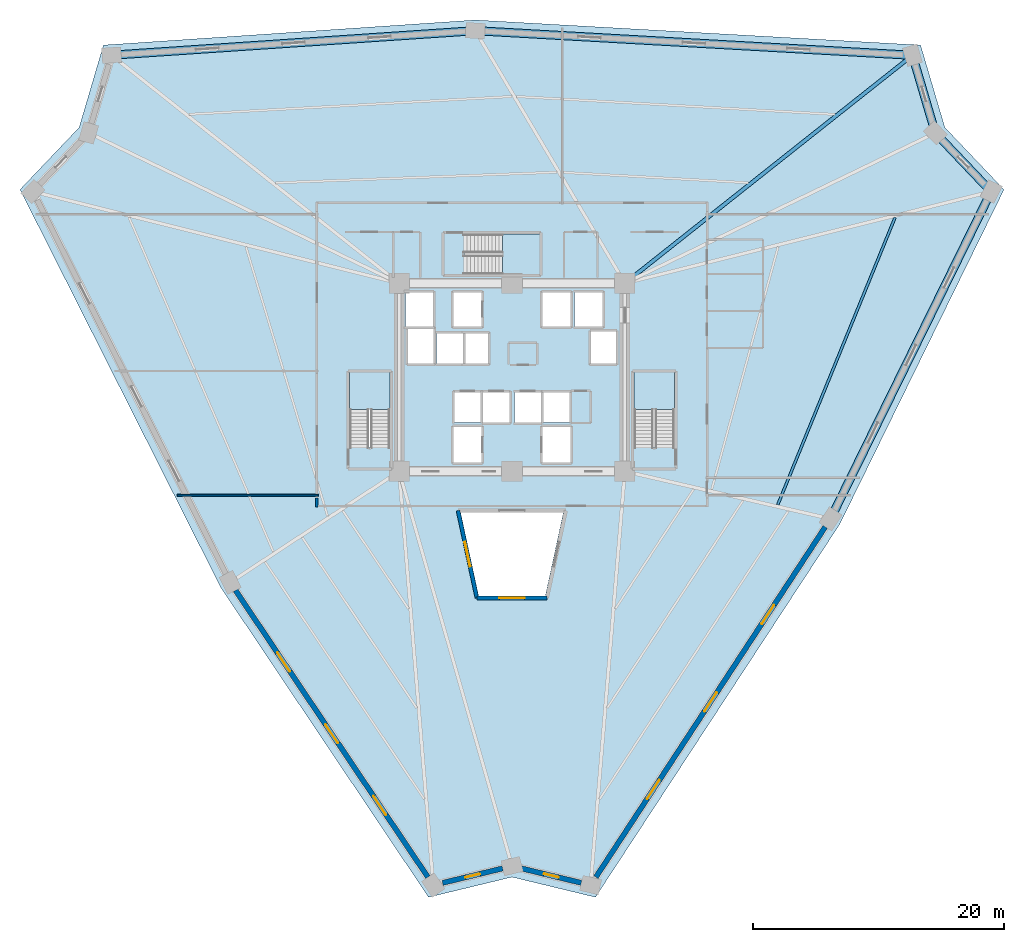
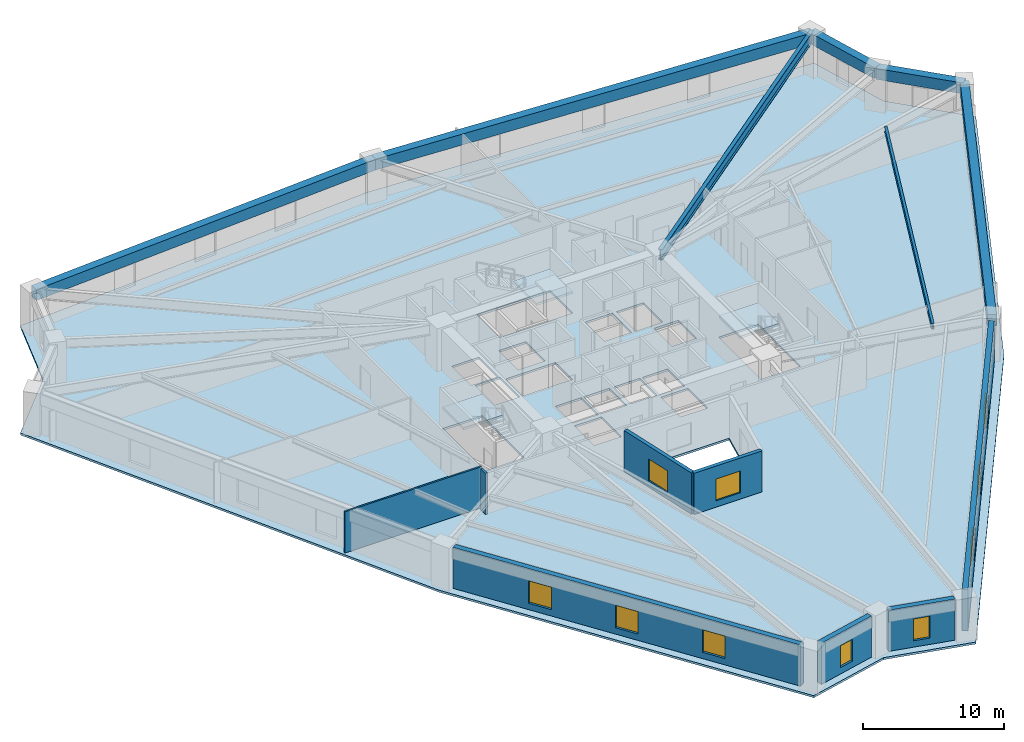
# One storey, part 2 of 8: 10 windows, 8 walls, 7 beams, 4 slabs, 10 openings, 3 elements without a shape of their own.
"""IFC4 building model written with IfcOpenShell, lengths in metres."""

from ifc_helpers import new_model, si_unit, direction, frame, frame_2d, origin, origin_2d, place, context, subcontext, project, spatial, polyline, rectangle, i_section, outline, extrude, source, transform, mapped, material, layer, layer_set, material_profile, profile_set, type_object, element, fill, aggregate, save


model = new_model("IFC4")

# Units and contexts
model_context = context("Model", 3, precision=1e-05, world=origin(), true_north=direction((0.0, 1.0)))
body_context = subcontext(model_context, "Body", "Model", "MODEL_VIEW")
ifc_project = project(units=[si_unit("LENGTHUNIT", "METRE"), si_unit("AREAUNIT", "SQUARE_METRE"), si_unit("VOLUMEUNIT", "CUBIC_METRE"), si_unit("PLANEANGLEUNIT", "RADIAN"), si_unit("MASSUNIT", "GRAM", prefix="KILO")], contexts=[model_context])

# Site, building, storey
site_placement = place(None, origin())
site = spatial("IfcSite", under=ifc_project, at=site_placement, CompositionType="ELEMENT")
building_placement = place(site_placement, origin())
building = spatial("IfcBuilding", under=site, at=building_placement, Name="Liaohun Quay Tower", CompositionType="ELEMENT")
storey_placement = place(building_placement, frame((0.0, 0.0, 63.0)))
storey = spatial("IfcBuildingStorey", under=building, at=storey_placement, Name="L16", CompositionType="ELEMENT", Elevation=63.0)

# Beams
ifc_material_1 = material(Name="Steel Q420D", Category="steel")
ifc_material_profile_1 = material_profile(ifc_material_1, i_section(OverallWidth=0.300048828125, OverallDepth=0.89990234375, WebThickness=0.01611328125, FlangeThickness=0.028076171875, at=origin_2d()), Name="HN900x300x16x28")
ifc_profile_set_1 = profile_set([ifc_material_profile_1], Name="Steel Q420D")
beam_type_1 = type_object("IfcBeamType", Name="BM-RAD-H1", PredefinedType="BEAM", material=ifc_profile_set_1)
shared_shape_1 = source(origin(), body_context, "Body", "SweptSolid", [
    extrude(i_section(OverallWidth=0.300048828125, OverallDepth=0.89990234375, WebThickness=0.01611328125, FlangeThickness=0.028076171875, at=origin_2d()), origin(), (0.0, 0.0, 1.0), 29.264404296875),
])
beam_1_placement = place(storey_placement, frame((69.0, 61.5, 3.1201171875), z_axis=(0.783682660244, 0.621161402561, 0.0), x_axis=(-0.621161402561, 0.783682660244, 0.0)))
element("IfcBeam", 1, at=beam_1_placement, inside=storey, type_object=beam_type_1, Name="L16 Radial Primary Girder CC4-PC07", PredefinedType="BEAM", context=body_context, shape_type="MappedRepresentation", body=[
    mapped(shared_shape_1, transform((0.0, 0.0, 0.0), x_axis=(1.0, 0.0, 0.0), y_axis=(0.0, 1.0, 0.0), z_axis=(0.0, 0.0, 1.0), scale=1.0)),
])
ifc_material_2 = material(Name="Steel Q355D", Category="steel")
ifc_material_profile_2 = material_profile(ifc_material_2, i_section(OverallWidth=0.199951171875, OverallDepth=0.449951171875, WebThickness=0.009033203125, FlangeThickness=0.013916015625, at=origin_2d()), Name="HN450x200x9x14")
ifc_profile_set_2 = profile_set([ifc_material_profile_2], Name="Steel Q355D")
beam_type_2 = type_object("IfcBeamType", Name="BM-SEC-J1", PredefinedType="JOIST", material=ifc_profile_set_2)
shared_shape_2 = source(origin(), body_context, "Body", "SweptSolid", [
    extrude(i_section(OverallWidth=0.199951171875, OverallDepth=0.449951171875, WebThickness=0.009033203125, FlangeThickness=0.013916015625, at=origin_2d()), origin(), (0.0, 0.0, 1.0), 24.732421875),
])
beam_2_placement = place(storey_placement, frame((90.5439453125, 66.738037109375, 3.344970703125), z_axis=(-0.378040840239, -0.925788919307, 0.0), x_axis=(0.925788919307, -0.378040840239, 0.0)))
element("IfcBeam", 2, at=beam_2_placement, inside=storey, type_object=beam_type_2, Name="L16 Wing Secondary Floor Joist SJ-11", PredefinedType="JOIST", context=body_context, shape_type="MappedRepresentation", body=[
    mapped(shared_shape_2, transform((0.0, 0.0, 0.0), x_axis=(1.0, 0.0, 0.0), y_axis=(0.0, 1.0, 0.0), z_axis=(0.0, 0.0, 1.0), scale=1.0)),
])
ifc_material_3 = material(Name="Precast concrete C55", Category="concrete")
ifc_material_profile_3 = material_profile(ifc_material_3, rectangle(XDim=0.64990234375, YDim=0.949951171875, at=origin_2d()), Name="RC650x950")
ifc_profile_set_3 = profile_set([ifc_material_profile_3], Name="Precast concrete C55")
beam_type_3 = type_object("IfcBeamType", Name="BM-SPD-Z1", PredefinedType="SPANDREL", material=ifc_profile_set_3)
shared_shape_3 = source(origin(), body_context, "Body", "SweptSolid", [
    extrude(rectangle(XDim=0.64990234375, YDim=0.949951171875, at=origin_2d()), origin(), (0.0, 0.0, 1.0), 29.07080078125),
])
beam_3_placement = place(storey_placement, frame((28.068115234375, 79.68505859375, 3.094970703125), z_axis=(0.997736549096, 0.067244171481, 0.0), x_axis=(-0.067244171481, 0.997736549096, 0.0)))
element("IfcBeam", 3, at=beam_3_placement, inside=storey, type_object=beam_type_3, Name="L16 Precast Spandrel Beam PC05-PC06", PredefinedType="SPANDREL", context=body_context, shape_type="MappedRepresentation", body=[
    mapped(shared_shape_3, transform((0.0, 0.0, 0.0), x_axis=(1.0, 0.0, 0.0), y_axis=(0.0, 1.0, 0.0), z_axis=(0.0, 0.0, 1.0), scale=1.0)),
])
shared_shape_4 = source(origin(), body_context, "Body", "SweptSolid", [
    extrude(rectangle(XDim=0.64990234375, YDim=0.949951171875, at=origin_2d()), origin(), (0.0, 0.0, 1.0), 34.916259765625),
])
beam_4_placement = place(storey_placement, frame((57.072998046875, 81.639892578125, 3.094970703125), z_axis=(0.998420141994, -0.056189145402, 0.0), x_axis=(0.056189145402, 0.998420141994, 0.0)))
element("IfcBeam", 4, at=beam_4_placement, inside=storey, type_object=beam_type_3, Name="L16 Precast Spandrel Beam PC06-PC07", PredefinedType="SPANDREL", context=body_context, shape_type="MappedRepresentation", body=[
    mapped(shared_shape_4, transform((0.0, 0.0, 0.0), x_axis=(1.0, 0.0, 0.0), y_axis=(0.0, 1.0, 0.0), z_axis=(0.0, 0.0, 1.0), scale=1.0)),
])
shared_shape_5 = source(origin(), body_context, "Body", "SweptSolid", [
    extrude(rectangle(XDim=0.64990234375, YDim=0.949951171875, at=origin_2d()), origin(), (0.0, 0.0, 1.0), 6.451171875),
])
beam_5_placement = place(storey_placement, frame((91.93408203125, 79.677978515625, 3.094970703125), z_axis=(0.28273381669, -0.959198409559, 0.0), x_axis=(0.959198409559, 0.28273381669, 0.0)))
element("IfcBeam", 5, at=beam_5_placement, inside=storey, type_object=beam_type_3, Name="L16 Precast Spandrel Beam PC07-PC08", PredefinedType="SPANDREL", context=body_context, shape_type="MappedRepresentation", body=[
    mapped(shared_shape_5, transform((0.0, 0.0, 0.0), x_axis=(1.0, 0.0, 0.0), y_axis=(0.0, 1.0, 0.0), z_axis=(0.0, 0.0, 1.0), scale=1.0)),
])
shared_shape_6 = source(origin(), body_context, "Body", "SweptSolid", [
    extrude(rectangle(XDim=0.64990234375, YDim=0.949951171875, at=origin_2d()), origin(), (0.0, 0.0, 1.0), 6.457763671875),
])
beam_6_placement = place(storey_placement, frame((93.758056640625, 73.489990234375, 3.094970703125), z_axis=(0.689231192671, -0.724541484699, 0.0), x_axis=(0.724541484699, 0.689231192671, 0.0)))
element("IfcBeam", 6, at=beam_6_placement, inside=storey, type_object=beam_type_3, Name="L16 Precast Spandrel Beam PC08-PC09", PredefinedType="SPANDREL", context=body_context, shape_type="MappedRepresentation", body=[
    mapped(shared_shape_6, transform((0.0, 0.0, 0.0), x_axis=(1.0, 0.0, 0.0), y_axis=(0.0, 1.0, 0.0), z_axis=(0.0, 0.0, 1.0), scale=1.0)),
])
shared_shape_7 = source(origin(), body_context, "Body", "SweptSolid", [
    extrude(rectangle(XDim=0.64990234375, YDim=0.949951171875, at=origin_2d()), origin(), (0.0, 0.0, 1.0), 29.06884765625),
])
beam_7_placement = place(storey_placement, frame((98.208984375, 68.81103515625, 3.094970703125), z_axis=(-0.440613510447, -0.897696905649, 0.0), x_axis=(0.897696905649, -0.440613510447, 0.0)))
element("IfcBeam", 7, at=beam_7_placement, inside=storey, type_object=beam_type_3, Name="L16 Precast Spandrel Beam PC09-PC10", PredefinedType="SPANDREL", context=body_context, shape_type="MappedRepresentation", body=[
    mapped(shared_shape_7, transform((0.0, 0.0, 0.0), x_axis=(1.0, 0.0, 0.0), y_axis=(0.0, 1.0, 0.0), z_axis=(0.0, 0.0, 1.0), scale=1.0)),
])

# Stair, slab
ifc_material_4 = material(Name="Concrete C45", Category="concrete")
stair_type = type_object("IfcStairType", Name="STR-CORE-OFF", PredefinedType="HALF_TURN_STAIR", material=ifc_material_4)
stair_1_placement = place(storey_placement, origin())
stair_1 = element("IfcStair", 8, at=stair_1_placement, inside=storey, type_object=stair_type, Name="L16 Smokeproof Core Exit Stair ST-1", PredefinedType="HALF_TURN_STAIR")
ifc_layer_1 = layer(ifc_material_4, 0.199951171875, Name="Concrete C45", Category="concrete")
ifc_layer_set_1 = layer_set([ifc_layer_1], Name="Concrete C45")
slab_type_1 = type_object("IfcSlabType", Name="SLB-LND-200", PredefinedType="LANDING", material=ifc_layer_set_1)
slab_1_placement = place(storey_placement, frame((0.0, 0.0, 1.675048828125)))
slab_1 = element("IfcSlab", 9, at=slab_1_placement, type_object=slab_type_1, Name="ST-1 landing 1", PredefinedType="LANDING", context=body_context, shape_type="SweptSolid", body=[
    extrude(outline(polyline([(50.280029296875, 51.429931640625), (50.280029296875, 54.419921875), (47.0400390625, 54.419921875), (47.0400390625, 51.429931640625), (50.280029296875, 51.429931640625)])), origin(), (0.0, 0.0, 1.0), 0.199951171875),
])
aggregate(stair_1, [slab_1])

stair_2_placement = place(storey_placement, origin())
stair_2 = element("IfcStair", 10, at=stair_2_placement, inside=storey, type_object=stair_type, Name="L16 Smokeproof Core Exit Stair ST-2", PredefinedType="HALF_TURN_STAIR")
slab_2_placement = place(storey_placement, frame((0.0, 0.0, 1.675048828125)))
slab_2 = element("IfcSlab", 11, at=slab_2_placement, type_object=slab_type_1, Name="ST-2 landing 1", PredefinedType="LANDING", context=body_context, shape_type="SweptSolid", body=[
    extrude(outline(polyline([(72.9599609375, 51.429931640625), (72.9599609375, 54.419921875), (69.719970703125, 54.419921875), (69.719970703125, 51.429931640625), (72.9599609375, 51.429931640625)])), origin(), (0.0, 0.0, 1.0), 0.199951171875),
])
aggregate(stair_2, [slab_2])

stair_3_placement = place(storey_placement, origin())
stair_3 = element("IfcStair", 12, at=stair_3_placement, inside=storey, type_object=stair_type, Name="L16 Smokeproof Core Exit Stair ST-3", PredefinedType="HALF_TURN_STAIR")
slab_3_placement = place(storey_placement, frame((0.0, 0.0, 1.675048828125)))
slab_3 = element("IfcSlab", 13, at=slab_3_placement, type_object=slab_type_1, Name="ST-3 landing 1", PredefinedType="LANDING", context=body_context, shape_type="SweptSolid", body=[
    extrude(outline(polyline([(59.22998046875, 62.199951171875), (62.219970703125, 62.199951171875), (62.219970703125, 65.43994140625), (59.22998046875, 65.43994140625), (59.22998046875, 62.199951171875)])), origin(), (0.0, 0.0, 1.0), 0.199951171875),
])
aggregate(stair_3, [slab_3])

# Slab
ifc_layer_2 = layer(ifc_material_4, 0.179931640625, Name="Concrete C45", Category="concrete")
ifc_layer_set_2 = layer_set([ifc_layer_2], Name="Concrete C45")
slab_type_2 = type_object("IfcSlabType", Name="SLB-OFF-180", PredefinedType="FLOOR", material=ifc_layer_set_2)
slab_4_placement = place(storey_placement, frame((0.0, 0.0, -0.179931640625)))
element("IfcSlab", 14, at=slab_4_placement, inside=storey, type_object=slab_type_2, Name="L16 Structural Floor Slab", PredefinedType="FLOOR", context=body_context, shape_type="SweptSolid", body=[
    extrude(outline(polyline([(53.345947265625, 12.5390625), (60.0, 14.14599609375), (66.654052734375, 12.5390625), (86.14111328125, 42.2939453125), (99.23291015625, 68.968017578125), (94.514892578125, 73.927001953125), (92.580078125, 80.492919921875), (57.068115234375, 82.491943359375), (27.419921875, 80.492919921875), (25.485107421875, 73.927001953125), (20.76708984375, 68.968017578125), (36.7919921875, 37.215087890625), (53.345947265625, 12.5390625)]), holes=[polyline([(57.56005859375, 47.2099609375), (57.56005859375, 50.030029296875), (55.340087890625, 50.030029296875), (55.340087890625, 47.2099609375), (57.56005859375, 47.2099609375)]), polyline([(50.280029296875, 54.419921875), (47.0400390625, 54.419921875), (47.0400390625, 48.409912109375), (50.280029296875, 48.409912109375), (50.280029296875, 54.419921875)]), polyline([(57.510009765625, 50.389892578125), (57.510009765625, 52.81005859375), (55.389892578125, 52.81005859375), (55.389892578125, 50.389892578125), (57.510009765625, 50.389892578125)]), polyline([(59.81005859375, 50.389892578125), (59.81005859375, 52.81005859375), (57.68994140625, 52.81005859375), (57.68994140625, 50.389892578125), (59.81005859375, 50.389892578125)]), polyline([(58.110107421875, 57.510009765625), (53.989990234375, 57.510009765625), (53.989990234375, 55.090087890625), (58.110107421875, 55.090087890625), (58.110107421875, 57.510009765625)]), polyline([(53.760009765625, 55.090087890625), (53.760009765625, 57.909912109375), (51.7099609375, 57.909912109375), (51.7099609375, 55.090087890625), (53.760009765625, 55.090087890625)]), polyline([(51.489990234375, 58.0400390625), (53.7099609375, 58.0400390625), (53.7099609375, 60.7900390625), (51.489990234375, 60.7900390625), (51.489990234375, 58.0400390625)]), polyline([(55.340087890625, 58.0400390625), (57.56005859375, 58.0400390625), (57.56005859375, 60.7900390625), (55.340087890625, 60.7900390625), (55.340087890625, 58.0400390625)]), polyline([(62.658935546875, 36.576904296875), (64.091064453125, 43.199951171875), (55.908935546875, 43.199951171875), (57.341064453125, 36.576904296875), (62.658935546875, 36.576904296875)]), polyline([(64.659912109375, 47.2099609375), (64.659912109375, 50.030029296875), (62.43994140625, 50.030029296875), (62.43994140625, 47.2099609375), (64.659912109375, 47.2099609375)]), polyline([(72.9599609375, 54.419921875), (69.719970703125, 54.419921875), (69.719970703125, 48.409912109375), (72.9599609375, 48.409912109375), (72.9599609375, 54.419921875)]), polyline([(62.31005859375, 50.389892578125), (62.31005859375, 52.81005859375), (60.18994140625, 52.81005859375), (60.18994140625, 50.389892578125), (62.31005859375, 50.389892578125)]), polyline([(64.610107421875, 50.389892578125), (64.610107421875, 52.81005859375), (62.489990234375, 52.81005859375), (62.489990234375, 50.389892578125), (64.610107421875, 50.389892578125)]), polyline([(68.2900390625, 55.090087890625), (68.2900390625, 57.659912109375), (66.2900390625, 57.659912109375), (66.2900390625, 55.090087890625), (68.2900390625, 55.090087890625)]), polyline([(64.659912109375, 58.0400390625), (64.659912109375, 60.7900390625), (62.43994140625, 60.7900390625), (62.43994140625, 58.0400390625), (64.659912109375, 58.0400390625)]), polyline([(64.989990234375, 58.0400390625), (67.2099609375, 58.0400390625), (67.2099609375, 60.7900390625), (64.989990234375, 60.7900390625), (64.989990234375, 58.0400390625)]), polyline([(56.2099609375, 62.199951171875), (62.219970703125, 62.199951171875), (62.219970703125, 65.43994140625), (56.2099609375, 65.43994140625), (56.2099609375, 62.199951171875)])]), origin(), (0.0, 0.0, 1.0), 0.179931640625),
])

# Wall, opening, window
ifc_material_5 = material(Name="Concrete C50", Category="concrete")
ifc_layer_3 = layer(ifc_material_5, 0.300048828125, Name="Concrete C50", Category="concrete")
ifc_layer_set_3 = layer_set([ifc_layer_3], Name="Concrete C50")
wall_type_1 = type_object("IfcWallType", Name="WAL-ATR-300", PredefinedType="SOLIDWALL", material=ifc_layer_set_3)
wall_1_placement = place(storey_placement, frame((57.2041015625, 36.406982421875, 0.0), z_axis=(0.0, 0.0, 1.0), x_axis=(-0.211408002859, 0.977397900718, 0.0)))
wall_1 = element("IfcWall", 15, at=wall_1_placement, inside=storey, type_object=wall_type_1, Name="L16 Atrium Fire Compartment Wall 1", PredefinedType="SOLIDWALL", context=body_context, shape_type="SweptSolid", body=[
    extrude(rectangle(XDim=7.124267578125, YDim=0.300048828125, at=frame_2d((3.56201171875, 0.0))), origin(), (0.0, 0.0, 1.0), 3.570068359375),
])
shared_shape_8 = source(origin(), body_context, "Body", "SweptSolid", [
    extrude(rectangle(XDim=2.0, YDim=1.89990234375, at=frame_2d((1.0, 0.949951171875))), frame((0.0, 0.159912109375, 0.0), z_axis=(0.0, -1.0, 0.0), x_axis=(1.0, 0.0, 0.0)), (0.0, 0.0, 1.0), 0.320068359375),
])
opening_1_placement = place(wall_1_placement, frame((2.56201171875, 0.0, 0.550048828125)))
opening_1 = element("IfcOpeningElement", 16, at=opening_1_placement, cuts=wall_1, Name="Opening W07", PredefinedType="OPENING", context=body_context, shape_type="MappedRepresentation", body=[
    mapped(shared_shape_8, transform((0.0, 0.0, 0.0), x_axis=(1.0, 0.0, 0.0), y_axis=(0.0, 1.0, 0.0), z_axis=(0.0, 0.0, 1.0), scale=1.0)),
])
ifc_material_6 = material(Name="Class A 180-min fire-resistant insulated glazing", Category="glass")
window_type_1 = type_object("IfcWindowType", Name="WIN-ATR-FIR", PartitioningType="DOUBLE_PANEL_VERTICAL", PredefinedType="WINDOW", material=ifc_material_6)
shared_shape_9 = source(origin(), body_context, "Body", "SweptSolid", [
    extrude(rectangle(XDim=2.0, YDim=1.89990234375, at=frame_2d((1.0, 0.949951171875))), frame((0.0, 0.030029296875, 0.0), z_axis=(0.0, -1.0, 0.0), x_axis=(1.0, 0.0, 0.0)), (0.0, 0.0, 1.0), 0.06005859375),
])
window_1_placement = place(opening_1_placement, origin())
window_1 = element("IfcWindow", 17, at=window_1_placement, inside=storey, type_object=window_type_1, Name="L16 Atrium Fire-Resistant Glazing W07-1", OverallHeight=1.89990234375, OverallWidth=2.0, PartitioningType="DOUBLE_PANEL_VERTICAL", PredefinedType="WINDOW", context=body_context, shape_type="MappedRepresentation", body=[
    mapped(shared_shape_9, transform((0.0, 0.0, 0.0), x_axis=(1.0, 0.0, 0.0), y_axis=(0.0, 1.0, 0.0), z_axis=(0.0, 0.0, 1.0), scale=1.0)),
])
fill(opening_1, window_1)

wall_2_placement = place(storey_placement, frame((62.7958984375, 36.406982421875, 0.0), z_axis=(0.0, 0.0, 1.0), x_axis=(-1.0, 0.0, 0.0)))
wall_2 = element("IfcWall", 18, at=wall_2_placement, inside=storey, type_object=wall_type_1, Name="L16 Atrium Fire Compartment Wall 4", PredefinedType="SOLIDWALL", context=body_context, shape_type="SweptSolid", body=[
    extrude(rectangle(XDim=5.591796875, YDim=0.300048828125, at=frame_2d((2.7958984375, 0.0))), origin(), (0.0, 0.0, 1.0), 3.570068359375),
])
opening_2_placement = place(wall_2_placement, frame((1.7958984375, 0.0, 0.550048828125)))
opening_2 = element("IfcOpeningElement", 19, at=opening_2_placement, cuts=wall_2, Name="Opening W07", PredefinedType="OPENING", context=body_context, shape_type="MappedRepresentation", body=[
    mapped(shared_shape_8, transform((0.0, 0.0, 0.0), x_axis=(1.0, 0.0, 0.0), y_axis=(0.0, 1.0, 0.0), z_axis=(0.0, 0.0, 1.0), scale=1.0)),
])
window_2_placement = place(opening_2_placement, origin())
window_2 = element("IfcWindow", 20, at=window_2_placement, inside=storey, type_object=window_type_1, Name="L16 Atrium Fire-Resistant Glazing W07-4", OverallHeight=1.89990234375, OverallWidth=2.0, PartitioningType="DOUBLE_PANEL_VERTICAL", PredefinedType="WINDOW", context=body_context, shape_type="MappedRepresentation", body=[
    mapped(shared_shape_9, transform((0.0, 0.0, 0.0), x_axis=(1.0, 0.0, 0.0), y_axis=(0.0, 1.0, 0.0), z_axis=(0.0, 0.0, 1.0), scale=1.0)),
])
fill(opening_2, window_2)

ifc_material_7 = material(Name="Precast concrete C50 insulated sandwich", Category="concrete")
ifc_layer_4 = layer(ifc_material_7, 0.419921875, Name="Precast concrete C50 insulated sandwich", Category="concrete")
ifc_layer_set_4 = layer_set([ifc_layer_4], Name="Precast concrete C50 insulated sandwich")
wall_type_2 = type_object("IfcWallType", Name="WAL-EXT-Z12", PredefinedType="SOLIDWALL", material=ifc_layer_set_4)
wall_3_placement = place(storey_placement, frame((60.743896484375, 14.840087890625, 0.0), z_axis=(0.0, 0.0, 1.0), x_axis=(0.972106008819, -0.234541910152, 0.0)))
wall_3 = element("IfcWall", 21, at=wall_3_placement, inside=storey, type_object=wall_type_2, Name="L16 Brutalist Precast Pier Wall 01", PredefinedType="SOLIDWALL", context=body_context, shape_type="SweptSolid", body=[
    extrude(rectangle(XDim=4.92041015625, YDim=0.419921875, at=frame_2d((2.460205078125, 0.0))), origin(), (0.0, 0.0, 1.0), 3.570068359375),
])
shared_shape_10 = source(origin(), body_context, "Body", "SweptSolid", [
    extrude(rectangle(XDim=1.199951171875, YDim=1.89990234375, at=frame_2d((0.60009765625, 0.949951171875))), frame((0.0, 0.219970703125, 0.0), z_axis=(0.0, -1.0, 0.0), x_axis=(1.0, 0.0, 0.0)), (0.0, 0.0, 1.0), 0.43994140625),
])
opening_3_placement = place(wall_3_placement, frame((1.860107421875, 0.0, 0.550048828125)))
opening_3 = element("IfcOpeningElement", 22, at=opening_3_placement, cuts=wall_3, Name="Opening W05", PredefinedType="OPENING", context=body_context, shape_type="MappedRepresentation", body=[
    mapped(shared_shape_10, transform((0.0, 0.0, 0.0), x_axis=(1.0, 0.0, 0.0), y_axis=(0.0, 1.0, 0.0), z_axis=(0.0, 0.0, 1.0), scale=1.0)),
])
ifc_material_8 = material(Name="Triple Low-E corner notch glazing", Category="glass")
window_type_2 = type_object("IfcWindowType", Name="WIN-NOTCH", PartitioningType="SINGLE_PANEL", PredefinedType="WINDOW", material=ifc_material_8)
shared_shape_11 = source(origin(), body_context, "Body", "SweptSolid", [
    extrude(rectangle(XDim=1.199951171875, YDim=1.89990234375, at=frame_2d((0.60009765625, 0.949951171875))), frame((0.0, 0.030029296875, 0.0), z_axis=(0.0, -1.0, 0.0), x_axis=(1.0, 0.0, 0.0)), (0.0, 0.0, 1.0), 0.06005859375),
])
window_3_placement = place(opening_3_placement, origin())
window_3 = element("IfcWindow", 23, at=window_3_placement, inside=storey, type_object=window_type_2, Name="L16 Corner Notch Window W05-01", OverallHeight=1.89990234375, OverallWidth=1.199951171875, PartitioningType="SINGLE_PANEL", PredefinedType="WINDOW", context=body_context, shape_type="MappedRepresentation", body=[
    mapped(shared_shape_11, transform((0.0, 0.0, 0.0), x_axis=(1.0, 0.0, 0.0), y_axis=(0.0, 1.0, 0.0), z_axis=(0.0, 0.0, 1.0), scale=1.0)),
])
fill(opening_3, window_3)

# Wall, openings, windows
wall_4_placement = place(storey_placement, frame((66.68994140625, 14.14599609375, 0.0), z_axis=(0.0, 0.0, 1.0), x_axis=(0.547881051704, 0.836556246276, 0.0)))
wall_4 = element("IfcWall", 24, at=wall_4_placement, inside=storey, type_object=wall_type_2, Name="L16 Brutalist Precast Pier Wall 02", PredefinedType="SOLIDWALL", context=body_context, shape_type="SweptSolid", body=[
    extrude(rectangle(XDim=33.38671875, YDim=0.419921875, at=frame_2d((16.693359375, 0.0))), origin(), (0.0, 0.0, 1.0), 3.570068359375),
])
shared_shape_12 = source(origin(), body_context, "Body", "SweptSolid", [
    extrude(rectangle(XDim=1.800048828125, YDim=1.949951171875, at=frame_2d((0.89990234375, 0.97509765625))), frame((0.0, 0.219970703125, 0.0), z_axis=(0.0, -1.0, 0.0), x_axis=(1.0, 0.0, 0.0)), (0.0, 0.0, 1.0), 0.43994140625),
])
opening_4_placement = place(wall_4_placement, frame((7.447021484375, 0.0, 0.550048828125)))
opening_4 = element("IfcOpeningElement", 25, at=opening_4_placement, cuts=wall_4, Name="Opening W01", PredefinedType="OPENING", context=body_context, shape_type="MappedRepresentation", body=[
    mapped(shared_shape_12, transform((0.0, 0.0, 0.0), x_axis=(1.0, 0.0, 0.0), y_axis=(0.0, 1.0, 0.0), z_axis=(0.0, 0.0, 1.0), scale=1.0)),
])
opening_5_placement = place(wall_4_placement, frame((15.79296875, 0.0, 0.550048828125)))
opening_5 = element("IfcOpeningElement", 26, at=opening_5_placement, cuts=wall_4, Name="Opening W01", PredefinedType="OPENING", context=body_context, shape_type="MappedRepresentation", body=[
    mapped(shared_shape_12, transform((0.0, 0.0, 0.0), x_axis=(1.0, 0.0, 0.0), y_axis=(0.0, 1.0, 0.0), z_axis=(0.0, 0.0, 1.0), scale=1.0)),
])
opening_6_placement = place(wall_4_placement, frame((24.139892578125, 0.0, 0.550048828125)))
opening_6 = element("IfcOpeningElement", 27, at=opening_6_placement, cuts=wall_4, Name="Opening W01", PredefinedType="OPENING", context=body_context, shape_type="MappedRepresentation", body=[
    mapped(shared_shape_12, transform((0.0, 0.0, 0.0), x_axis=(1.0, 0.0, 0.0), y_axis=(0.0, 1.0, 0.0), z_axis=(0.0, 0.0, 1.0), scale=1.0)),
])
ifc_material_9 = material(Name="Triple Low-E argon glazing in thermally broken aluminium", Category="aluminium")
window_type_3 = type_object("IfcWindowType", Name="WIN-PUN-Z1", PartitioningType="DOUBLE_PANEL_VERTICAL", PredefinedType="WINDOW", material=ifc_material_9)
shared_shape_13 = source(origin(), body_context, "Body", "SweptSolid", [
    extrude(rectangle(XDim=1.800048828125, YDim=1.949951171875, at=frame_2d((0.89990234375, 0.97509765625))), frame((0.0, 0.030029296875, 0.0), z_axis=(0.0, -1.0, 0.0), x_axis=(1.0, 0.0, 0.0)), (0.0, 0.0, 1.0), 0.06005859375),
])
window_4_placement = place(opening_4_placement, origin())
window_4 = element("IfcWindow", 28, at=window_4_placement, inside=storey, type_object=window_type_3, Name="L16 Recessed Cold-Climate Punched Window 02-1", OverallHeight=1.949951171875, OverallWidth=1.800048828125, PartitioningType="DOUBLE_PANEL_VERTICAL", PredefinedType="WINDOW", context=body_context, shape_type="MappedRepresentation", body=[
    mapped(shared_shape_13, transform((0.0, 0.0, 0.0), x_axis=(1.0, 0.0, 0.0), y_axis=(0.0, 1.0, 0.0), z_axis=(0.0, 0.0, 1.0), scale=1.0)),
])
fill(opening_4, window_4)
window_5_placement = place(opening_5_placement, origin())
window_5 = element("IfcWindow", 29, at=window_5_placement, inside=storey, type_object=window_type_3, Name="L16 Recessed Cold-Climate Punched Window 02-2", OverallHeight=1.949951171875, OverallWidth=1.800048828125, PartitioningType="DOUBLE_PANEL_VERTICAL", PredefinedType="WINDOW", context=body_context, shape_type="MappedRepresentation", body=[
    mapped(shared_shape_13, transform((0.0, 0.0, 0.0), x_axis=(1.0, 0.0, 0.0), y_axis=(0.0, 1.0, 0.0), z_axis=(0.0, 0.0, 1.0), scale=1.0)),
])
fill(opening_5, window_5)
window_6_placement = place(opening_6_placement, origin())
window_6 = element("IfcWindow", 30, at=window_6_placement, inside=storey, type_object=window_type_3, Name="L16 Recessed Cold-Climate Punched Window 02-3", OverallHeight=1.949951171875, OverallWidth=1.800048828125, PartitioningType="DOUBLE_PANEL_VERTICAL", PredefinedType="WINDOW", context=body_context, shape_type="MappedRepresentation", body=[
    mapped(shared_shape_13, transform((0.0, 0.0, 0.0), x_axis=(1.0, 0.0, 0.0), y_axis=(0.0, 1.0, 0.0), z_axis=(0.0, 0.0, 1.0), scale=1.0)),
])
fill(opening_6, window_6)

wall_5_placement = place(storey_placement, frame((37.952880859375, 37.010009765625, 0.0), z_axis=(0.0, 0.0, 1.0), x_axis=(0.557101576922, -0.830444358757, 0.0)))
wall_5 = element("IfcWall", 31, at=wall_5_placement, inside=storey, type_object=wall_type_2, Name="L16 Brutalist Precast Pier Wall 11", PredefinedType="SOLIDWALL", context=body_context, shape_type="SweptSolid", body=[
    extrude(rectangle(XDim=27.540771484375, YDim=0.419921875, at=frame_2d((13.7705078125, 0.0))), origin(), (0.0, 0.0, 1.0), 3.570068359375),
])
opening_7_placement = place(wall_5_placement, frame((5.985107421875, 0.0, 0.550048828125)))
opening_7 = element("IfcOpeningElement", 32, at=opening_7_placement, cuts=wall_5, Name="Opening W01", PredefinedType="OPENING", context=body_context, shape_type="MappedRepresentation", body=[
    mapped(shared_shape_12, transform((0.0, 0.0, 0.0), x_axis=(1.0, 0.0, 0.0), y_axis=(0.0, 1.0, 0.0), z_axis=(0.0, 0.0, 1.0), scale=1.0)),
])
opening_8_placement = place(wall_5_placement, frame((12.8701171875, 0.0, 0.550048828125)))
opening_8 = element("IfcOpeningElement", 33, at=opening_8_placement, cuts=wall_5, Name="Opening W01", PredefinedType="OPENING", context=body_context, shape_type="MappedRepresentation", body=[
    mapped(shared_shape_12, transform((0.0, 0.0, 0.0), x_axis=(1.0, 0.0, 0.0), y_axis=(0.0, 1.0, 0.0), z_axis=(0.0, 0.0, 1.0), scale=1.0)),
])
opening_9_placement = place(wall_5_placement, frame((19.756103515625, 0.0, 0.550048828125)))
opening_9 = element("IfcOpeningElement", 34, at=opening_9_placement, cuts=wall_5, Name="Opening W01", PredefinedType="OPENING", context=body_context, shape_type="MappedRepresentation", body=[
    mapped(shared_shape_12, transform((0.0, 0.0, 0.0), x_axis=(1.0, 0.0, 0.0), y_axis=(0.0, 1.0, 0.0), z_axis=(0.0, 0.0, 1.0), scale=1.0)),
])
window_7_placement = place(opening_7_placement, origin())
window_7 = element("IfcWindow", 35, at=window_7_placement, inside=storey, type_object=window_type_3, Name="L16 Recessed Cold-Climate Punched Window 11-1", OverallHeight=1.949951171875, OverallWidth=1.800048828125, PartitioningType="DOUBLE_PANEL_VERTICAL", PredefinedType="WINDOW", context=body_context, shape_type="MappedRepresentation", body=[
    mapped(shared_shape_13, transform((0.0, 0.0, 0.0), x_axis=(1.0, 0.0, 0.0), y_axis=(0.0, 1.0, 0.0), z_axis=(0.0, 0.0, 1.0), scale=1.0)),
])
fill(opening_7, window_7)
window_8_placement = place(opening_8_placement, origin())
window_8 = element("IfcWindow", 36, at=window_8_placement, inside=storey, type_object=window_type_3, Name="L16 Recessed Cold-Climate Punched Window 11-2", OverallHeight=1.949951171875, OverallWidth=1.800048828125, PartitioningType="DOUBLE_PANEL_VERTICAL", PredefinedType="WINDOW", context=body_context, shape_type="MappedRepresentation", body=[
    mapped(shared_shape_13, transform((0.0, 0.0, 0.0), x_axis=(1.0, 0.0, 0.0), y_axis=(0.0, 1.0, 0.0), z_axis=(0.0, 0.0, 1.0), scale=1.0)),
])
fill(opening_8, window_8)
window_9_placement = place(opening_9_placement, origin())
window_9 = element("IfcWindow", 37, at=window_9_placement, inside=storey, type_object=window_type_3, Name="L16 Recessed Cold-Climate Punched Window 11-3", OverallHeight=1.949951171875, OverallWidth=1.800048828125, PartitioningType="DOUBLE_PANEL_VERTICAL", PredefinedType="WINDOW", context=body_context, shape_type="MappedRepresentation", body=[
    mapped(shared_shape_13, transform((0.0, 0.0, 0.0), x_axis=(1.0, 0.0, 0.0), y_axis=(0.0, 1.0, 0.0), z_axis=(0.0, 0.0, 1.0), scale=1.0)),
])
fill(opening_9, window_9)

# Wall, opening, window
wall_6_placement = place(storey_placement, frame((54.466064453125, 13.68408203125, 0.0), z_axis=(0.0, 0.0, 1.0), x_axis=(0.972091949921, 0.23460017242, 0.0)))
wall_6 = element("IfcWall", 38, at=wall_6_placement, inside=storey, type_object=wall_type_2, Name="L16 Brutalist Precast Pier Wall 12", PredefinedType="SOLIDWALL", context=body_context, shape_type="SweptSolid", body=[
    extrude(rectangle(XDim=4.927490234375, YDim=0.419921875, at=frame_2d((2.4638671875, 0.0))), origin(), (0.0, 0.0, 1.0), 3.570068359375),
])
opening_10_placement = place(wall_6_placement, frame((1.864013671875, 0.0, 0.550048828125)))
opening_10 = element("IfcOpeningElement", 39, at=opening_10_placement, cuts=wall_6, Name="Opening W05", PredefinedType="OPENING", context=body_context, shape_type="MappedRepresentation", body=[
    mapped(shared_shape_10, transform((0.0, 0.0, 0.0), x_axis=(1.0, 0.0, 0.0), y_axis=(0.0, 1.0, 0.0), z_axis=(0.0, 0.0, 1.0), scale=1.0)),
])
window_10_placement = place(opening_10_placement, origin())
window_10 = element("IfcWindow", 40, at=window_10_placement, inside=storey, type_object=window_type_2, Name="L16 Corner Notch Window W05-12", OverallHeight=1.89990234375, OverallWidth=1.199951171875, PartitioningType="SINGLE_PANEL", PredefinedType="WINDOW", context=body_context, shape_type="MappedRepresentation", body=[
    mapped(shared_shape_11, transform((0.0, 0.0, 0.0), x_axis=(1.0, 0.0, 0.0), y_axis=(0.0, 1.0, 0.0), z_axis=(0.0, 0.0, 1.0), scale=1.0)),
])
fill(opening_10, window_10)

# Walls
ifc_material_10 = material(Name="Autoclaved aerated concrete blockwork", Category="masonry")
ifc_layer_5 = layer(ifc_material_10, 0.179931640625, Name="Autoclaved aerated concrete blockwork", Category="masonry")
ifc_layer_set_5 = layer_set([ifc_layer_5], Name="Autoclaved aerated concrete blockwork")
wall_type_3 = type_object("IfcWallType", Name="WAL-PRT-COR", PredefinedType="PARTITIONING", material=ifc_layer_set_5)
wall_7_placement = place(storey_placement, frame((44.43994140625, 43.669921875, 0.0), z_axis=(0.0, 0.0, 1.0), x_axis=(0.0, 1.0, 0.0)))
element("IfcWall", 41, at=wall_7_placement, inside=storey, type_object=wall_type_3, Name="L16 Interior Partition Wall 034", PredefinedType="PARTITIONING", context=body_context, shape_type="SweptSolid", body=[
    extrude(rectangle(XDim=0.715087890625, YDim=0.179931640625, at=frame_2d((0.357421875, 0.0))), origin(), (0.0, 0.0, 1.0), 3.570068359375),
])
ifc_material_11 = material(Name="Gypsum board on twin steel studs", Category="steel")
ifc_layer_6 = layer(ifc_material_11, 0.139892578125, Name="Gypsum board on twin steel studs", Category="steel")
ifc_layer_set_6 = layer_set([ifc_layer_6], Name="Gypsum board on twin steel studs")
wall_type_4 = type_object("IfcWallType", Name="WAL-PRT-OFF", PredefinedType="PARTITIONING", material=ifc_layer_set_6)
wall_8_placement = place(storey_placement, frame((44.5400390625, 44.60009765625, 0.0), z_axis=(0.0, 0.0, 1.0), x_axis=(-1.0, 0.0, 0.0)))
element("IfcWall", 42, at=wall_8_placement, inside=storey, type_object=wall_type_4, Name="L16 Interior Partition Wall 036", PredefinedType="PARTITIONING", context=body_context, shape_type="SweptSolid", body=[
    extrude(rectangle(XDim=11.22900390625, YDim=0.139892578125, at=frame_2d((5.614501953125, 0.0))), origin(), (0.0, 0.0, 1.0), 3.570068359375),
])

save(model, "model.ifc")
